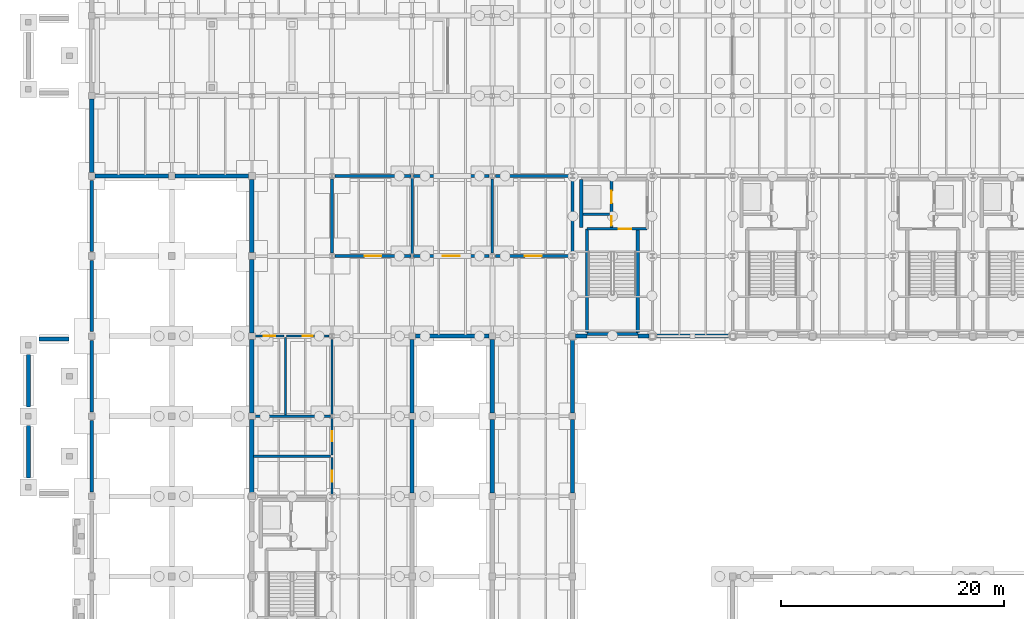
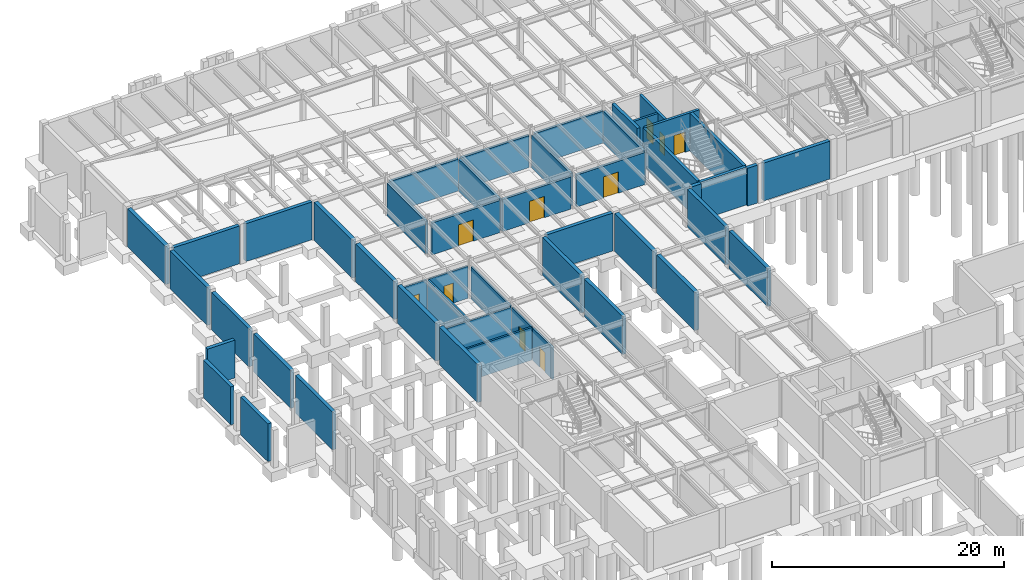
# One storey, part 34 of 46: 49 walls, 10 doors, 10 openings.
"""IFC4 building model written with IfcOpenShell, lengths in metres."""

from ifc_helpers import new_model, si_unit, direction, frame, frame_2d, origin, place, context, subcontext, project, spatial, rectangle, extrude, material, layer, layer_set, type_object, element, fill, save


model = new_model("IFC4")

# Units and contexts
model_context = context("Model", 3, precision=1e-05, world=origin(), true_north=direction((0.0, 1.0)))
body_context = subcontext(model_context, "Body", "Model", "MODEL_VIEW")
ifc_project = project(units=[si_unit("LENGTHUNIT", "METRE"), si_unit("AREAUNIT", "SQUARE_METRE"), si_unit("VOLUMEUNIT", "CUBIC_METRE"), si_unit("PLANEANGLEUNIT", "RADIAN"), si_unit("MASSUNIT", "GRAM", prefix="KILO")], contexts=[model_context])

# Site, building, storey
site_placement = place(None, origin())
site = spatial("IfcSite", under=ifc_project, at=site_placement, CompositionType="ELEMENT")
building_placement = place(site_placement, origin())
building = spatial("IfcBuilding", under=site, at=building_placement, Name="Sillqori Civic Hall", CompositionType="ELEMENT")
storey_placement = place(building_placement, frame((0.0, 0.0, -4.199951171875)))
storey = spatial("IfcBuildingStorey", under=building, at=storey_placement, Name="B01", CompositionType="ELEMENT", Elevation=-4.199951171875)

# Wall
ifc_material_1 = material(Name="Concrete C35/45 (H35)", Category="concrete")
ifc_layer_1 = layer(ifc_material_1, 0.219970703125)
ifc_layer_set_1 = layer_set([ifc_layer_1], Name="Concrete C35/45 (H35)")
wall_type_1 = type_object("IfcWallType", Name="CW-SHR-220", PredefinedType="SHEAR", material=ifc_layer_set_1)
wall_1_placement = place(storey_placement, frame((51.35009765625, 90.14990234375, 0.0), z_axis=(0.0, 0.0, 1.0), x_axis=(1.0, 0.0, 0.0)))
element("IfcWall", 1, at=wall_1_placement, inside=storey, type_object=wall_type_1, Name="B01 C5 Lift-riser divider wall", PredefinedType="SHEAR", context=body_context, shape_type="SweptSolid", body=[
    extrude(rectangle(XDim=2.39990234375, YDim=0.219970703125, at=frame_2d((1.199951171875, 0.0))), origin(), (0.0, 0.0, 1.0), 3.97998046875),
])

# Wall, opening, door
ifc_layer_2 = layer(ifc_material_1, 0.260009765625)
ifc_layer_set_2 = layer_set([ifc_layer_2], Name="Concrete C35/45 (H35)")
wall_type_2 = type_object("IfcWallType", Name="CW-SHR-260", PredefinedType="SHEAR", material=ifc_layer_set_2)
wall_2_placement = place(storey_placement, frame((51.7099609375, 88.85009765625, 0.0), z_axis=(0.0, 0.0, 1.0), x_axis=(1.0, 0.0, 0.0)))
wall_2 = element("IfcWall", 2, at=wall_2_placement, inside=storey, type_object=wall_type_2, Name="B01 C5 Stair-lobby fire wall", PredefinedType="SHEAR", context=body_context, shape_type="SweptSolid", body=[
    extrude(rectangle(XDim=5.41015625, YDim=0.260009765625, at=frame_2d((2.705078125, 0.0))), origin(), (0.0, 0.0, 1.0), 3.97998046875),
])
opening_1_placement = place(wall_2_placement, frame((2.840087890625, 0.0, 0.0)))
opening_1 = element("IfcOpeningElement", 3, at=opening_1_placement, cuts=wall_2, Name="Opening FD-01", PredefinedType="OPENING", context=body_context, shape_type="SweptSolid", body=[
    extrude(rectangle(XDim=1.14990234375, YDim=2.14990234375, at=frame_2d((0.574951171875, 1.074951171875))), frame((0.0, 0.139892578125, 0.0), z_axis=(0.0, -1.0, 0.0), x_axis=(1.0, 0.0, 0.0)), (0.0, 0.0, 1.0), 0.280029296875),
])
ifc_material_2 = material(Name="Galvanized Steel Fire Door FD90S", Category="steel")
door_type_1 = type_object("IfcDoorType", Name="FDR-STR-115X215", OperationType="NOTDEFINED", PredefinedType="DOOR", material=ifc_material_2)
door_1_placement = place(opening_1_placement, origin())
door_1 = element("IfcDoor", 4, at=door_1_placement, inside=storey, type_object=door_type_1, Name="B01 stair ST-05 fire door", OperationType="SINGLE_SWING_RIGHT", OverallHeight=2.14990234375, OverallWidth=1.14990234375, PredefinedType="DOOR", context=body_context, shape_type="SweptSolid", body=[
    extrude(rectangle(XDim=1.14990234375, YDim=2.14990234375, at=frame_2d((0.574951171875, 1.074951171875))), frame((0.0, 0.02490234375, 0.0), z_axis=(0.0, -1.0, 0.0), x_axis=(1.0, 0.0, 0.0)), (0.0, 0.0, 1.0), 0.050048828125),
])
fill(opening_1, door_1)

# Wall, openings, doors
wall_3_placement = place(storey_placement, frame((53.89990234375, 93.300048828125, 0.0), z_axis=(0.0, 0.0, 1.0), x_axis=(0.0, -1.0, 0.0)))
wall_3 = element("IfcWall", 5, at=wall_3_placement, inside=storey, type_object=wall_type_2, Name="B01 C5 Lift landing & riser front wall", PredefinedType="SHEAR", context=body_context, shape_type="SweptSolid", body=[
    extrude(rectangle(XDim=4.320068359375, YDim=0.260009765625, at=frame_2d((2.16015625, 0.0))), origin(), (0.0, 0.0, 1.0), 3.97998046875),
])
opening_2_placement = place(wall_3_placement, frame((1.050048828125, 0.0, 0.0)))
opening_2 = element("IfcOpeningElement", 6, at=opening_2_placement, cuts=wall_3, Name="Opening LD-01", PredefinedType="OPENING", context=body_context, shape_type="SweptSolid", body=[
    extrude(rectangle(XDim=1.10009765625, YDim=2.14990234375, at=frame_2d((0.550048828125, 1.074951171875))), frame((0.0, 0.139892578125, 0.0), z_axis=(0.0, -1.0, 0.0), x_axis=(1.0, 0.0, 0.0)), (0.0, 0.0, 1.0), 0.280029296875),
])
opening_3_placement = place(wall_3_placement, frame((3.324951171875, 0.0, 0.0)))
opening_3 = element("IfcOpeningElement", 7, at=opening_3_placement, cuts=wall_3, Name="Opening FD-05", PredefinedType="OPENING", context=body_context, shape_type="SweptSolid", body=[
    extrude(rectangle(XDim=0.85009765625, YDim=2.050048828125, at=frame_2d((0.425048828125, 1.02490234375))), frame((0.0, 0.139892578125, 0.0), z_axis=(0.0, -1.0, 0.0), x_axis=(1.0, 0.0, 0.0)), (0.0, 0.0, 1.0), 0.280029296875),
])
ifc_material_3 = material(Name="Steel Riser Access Fire Door", Category="steel")
door_type_2 = type_object("IfcDoorType", Name="FDR-RSR-085X205", OperationType="NOTDEFINED", PredefinedType="DOOR", material=ifc_material_3)
door_2_placement = place(opening_3_placement, origin())
door_2 = element("IfcDoor", 8, at=door_2_placement, inside=storey, type_object=door_type_2, Name="B01 MEP riser C5 fire access door", OperationType="SINGLE_SWING_LEFT", OverallHeight=2.050048828125, OverallWidth=0.85009765625, PredefinedType="DOOR", context=body_context, shape_type="SweptSolid", body=[
    extrude(rectangle(XDim=0.85009765625, YDim=2.050048828125, at=frame_2d((0.425048828125, 1.02490234375))), frame((0.0, 0.02490234375, 0.0), z_axis=(0.0, -1.0, 0.0), x_axis=(1.0, 0.0, 0.0)), (0.0, 0.0, 1.0), 0.050048828125),
])
fill(opening_3, door_2)
ifc_material_4 = material(Name="Stainless Steel Lift Landing Door", Category="steel")
door_type_3 = type_object("IfcDoorType", Name="LDR-PASS-110X215", OperationType="NOTDEFINED", PredefinedType="DOOR", material=ifc_material_4)
door_3_placement = place(opening_2_placement, origin())
door_3 = element("IfcDoor", 9, at=door_3_placement, inside=storey, type_object=door_type_3, Name="B01 lift LF-03 sliding landing door", OperationType="DOUBLE_DOOR_SLIDING", OverallHeight=2.14990234375, OverallWidth=1.10009765625, PredefinedType="DOOR", context=body_context, shape_type="SweptSolid", body=[
    extrude(rectangle(XDim=1.10009765625, YDim=2.14990234375, at=frame_2d((0.550048828125, 1.074951171875))), frame((0.0, 0.02490234375, 0.0), z_axis=(0.0, -1.0, 0.0), x_axis=(1.0, 0.0, 0.0)), (0.0, 0.0, 1.0), 0.050048828125),
])
fill(opening_2, door_3)

# Walls
ifc_layer_3 = layer(ifc_material_1, 0.300048828125)
ifc_layer_set_3 = layer_set([ifc_layer_3], Name="Concrete C35/45 (H35)")
wall_type_3 = type_object("IfcWallType", Name="CW-SHR-300", PredefinedType="SHEAR", material=ifc_layer_set_3)
wall_4_placement = place(storey_placement, frame((51.7099609375, 79.39990234375, 0.0), z_axis=(0.0, 0.0, 1.0), x_axis=(1.0, 0.0, 0.0)))
element("IfcWall", 10, at=wall_4_placement, inside=storey, type_object=wall_type_3, Name="B01 C5 Stair south shear wall", PredefinedType="SHEAR", context=body_context, shape_type="SweptSolid", body=[
    extrude(rectangle(XDim=4.580078125, YDim=0.300048828125, at=frame_2d((2.2900390625, 0.0))), origin(), (0.0, 0.0, 1.0), 3.97998046875),
])
for number, where, z_axis, x_axis, name in (
    (11, (51.7099609375, 79.550048828125, 0.0), (0.0, 0.0, 1.0), (0.0, 1.0, 0.0), "B01 C5 Stair west shear wall"),
    (12, (56.2900390625, 79.550048828125, 0.0), (0.0, 0.0, 1.0), (0.0, 1.0, 0.0), "B01 C5 Stair east shear wall"),
):
    element("IfcWall", number, at=place(storey_placement, frame(where, z_axis=z_axis, x_axis=x_axis)), inside=storey, type_object=wall_type_3, Name=name, PredefinedType="SHEAR", context=body_context, shape_type="SweptSolid", body=[
        extrude(rectangle(XDim=9.300048828125, YDim=0.300048828125, at=frame_2d((4.64990234375, 0.0))), origin(), (0.0, 0.0, 1.0), 3.97998046875),
    ])
wall_5_placement = place(storey_placement, frame((51.199951171875, 88.97998046875, 0.0), z_axis=(0.0, 0.0, 1.0), x_axis=(0.0, 1.0, 0.0)))
element("IfcWall", 13, at=wall_5_placement, inside=storey, type_object=wall_type_3, Name="B01 C5 Lift shaft west shear wall", PredefinedType="SHEAR", context=body_context, shape_type="SweptSolid", body=[
    extrude(rectangle(XDim=4.320068359375, YDim=0.300048828125, at=frame_2d((2.16015625, 0.0))), origin(), (0.0, 0.0, 1.0), 3.97998046875),
])

# Wall, opening, door
ifc_material_5 = material(Name="Concrete C25/30 (H25)", Category="concrete")
ifc_layer_4 = layer(ifc_material_5, 0.18994140625)
ifc_layer_set_4 = layer_set([ifc_layer_4], Name="Concrete C25/30 (H25)")
wall_type_4 = type_object("IfcWallType", Name="PT-MAS-190", PredefinedType="PARTITIONING", material=ifc_layer_set_4)
wall_6_placement = place(storey_placement, frame((28.800048828125, 68.280029296875, 0.0), z_axis=(0.0, 0.0, 1.0), x_axis=(0.0, -1.0, 0.0)))
wall_6 = element("IfcWall", 14, at=wall_6_placement, inside=storey, type_object=wall_type_4, Name="B01 Public Male WC partition E1", PredefinedType="PARTITIONING", context=body_context, shape_type="SweptSolid", body=[
    extrude(rectangle(XDim=3.360107421875, YDim=0.18994140625, at=frame_2d((1.68017578125, 0.0))), origin(), (0.0, 0.0, 1.0), 3.367919921875),
])
opening_4_placement = place(wall_6_placement, frame((1.199951171875, 0.0, 0.0)))
opening_4 = element("IfcOpeningElement", 15, at=opening_4_placement, cuts=wall_6, Name="Opening ID-20", PredefinedType="OPENING", context=body_context, shape_type="SweptSolid", body=[
    extrude(rectangle(XDim=0.9599609375, YDim=2.10009765625, at=frame_2d((0.47998046875, 1.050048828125))), frame((0.0, 0.10498046875, 0.0), z_axis=(0.0, -1.0, 0.0), x_axis=(1.0, 0.0, 0.0)), (0.0, 0.0, 1.0), 0.2099609375),
])
ifc_material_6 = material(Name="Moisture-Resistant Sanitary Door 960", Category="timber")
door_type_4 = type_object("IfcDoorType", Name="IDR-WC-096X210", OperationType="NOTDEFINED", PredefinedType="DOOR", material=ifc_material_6)
door_4_placement = place(opening_4_placement, origin())
door_4 = element("IfcDoor", 16, at=door_4_placement, inside=storey, type_object=door_type_4, Name="B01 Public Male WC entrance door", OperationType="SINGLE_SWING_RIGHT", OverallHeight=2.10009765625, OverallWidth=0.9599609375, PredefinedType="DOOR", context=body_context, shape_type="SweptSolid", body=[
    extrude(rectangle(XDim=0.9599609375, YDim=2.10009765625, at=frame_2d((0.47998046875, 1.050048828125))), frame((0.0, 0.02490234375, 0.0), z_axis=(0.0, -1.0, 0.0), x_axis=(1.0, 0.0, 0.0)), (0.0, 0.0, 1.0), 0.050048828125),
])
fill(opening_4, door_4)

# Wall
wall_7_placement = place(storey_placement, frame((21.719970703125, 68.39990234375, 0.0), z_axis=(0.0, 0.0, 1.0), x_axis=(1.0, 0.0, 0.0)))
element("IfcWall", 17, at=wall_7_placement, inside=storey, type_object=wall_type_4, Name="B01 Public Male WC partition N3", PredefinedType="PARTITIONING", context=body_context, shape_type="SweptSolid", body=[
    extrude(rectangle(XDim=6.9599609375, YDim=0.18994140625, at=frame_2d((3.47998046875, 0.0))), origin(), (0.0, 0.0, 1.0), 3.43701171875),
])

# Wall, opening, door
wall_8_placement = place(storey_placement, frame((28.800048828125, 71.8798828125, 0.0), z_axis=(0.0, 0.0, 1.0), x_axis=(0.0, -1.0, 0.0)))
wall_8 = element("IfcWall", 18, at=wall_8_placement, inside=storey, type_object=wall_type_4, Name="B01 Public Female WC partition E1", PredefinedType="PARTITIONING", context=body_context, shape_type="SweptSolid", body=[
    extrude(rectangle(XDim=3.35986328125, YDim=0.18994140625, at=frame_2d((1.679931640625, 0.0))), origin(), (0.0, 0.0, 1.0), 3.367919921875),
])
opening_5_placement = place(wall_8_placement, frame((1.219970703125, 0.0, 0.0)))
opening_5 = element("IfcOpeningElement", 19, at=opening_5_placement, cuts=wall_8, Name="Opening ID-19", PredefinedType="OPENING", context=body_context, shape_type="SweptSolid", body=[
    extrude(rectangle(XDim=0.919921875, YDim=2.10009765625, at=frame_2d((0.4599609375, 1.050048828125))), frame((0.0, 0.10498046875, 0.0), z_axis=(0.0, -1.0, 0.0), x_axis=(1.0, 0.0, 0.0)), (0.0, 0.0, 1.0), 0.2099609375),
])
ifc_material_7 = material(Name="Moisture-Resistant Sanitary Door 920", Category="timber")
door_type_5 = type_object("IfcDoorType", Name="IDR-WC-092X210", OperationType="NOTDEFINED", PredefinedType="DOOR", material=ifc_material_7)
door_5_placement = place(opening_5_placement, origin())
door_5 = element("IfcDoor", 20, at=door_5_placement, inside=storey, type_object=door_type_5, Name="B01 Public Female WC entrance door", OperationType="SINGLE_SWING_LEFT", OverallHeight=2.10009765625, OverallWidth=0.919921875, PredefinedType="DOOR", context=body_context, shape_type="SweptSolid", body=[
    extrude(rectangle(XDim=0.919921875, YDim=2.10009765625, at=frame_2d((0.4599609375, 1.050048828125))), frame((0.0, 0.02490234375, 0.0), z_axis=(0.0, -1.0, 0.0), x_axis=(1.0, 0.0, 0.0)), (0.0, 0.0, 1.0), 0.050048828125),
])
fill(opening_5, door_5)

# Wall
wall_9_placement = place(storey_placement, frame((21.719970703125, 72.0, 0.0), z_axis=(0.0, 0.0, 1.0), x_axis=(1.0, 0.0, 0.0)))
element("IfcWall", 21, at=wall_9_placement, inside=storey, type_object=wall_type_4, Name="B01 Public Female WC partition N3", PredefinedType="PARTITIONING", context=body_context, shape_type="SweptSolid", body=[
    extrude(rectangle(XDim=6.9599609375, YDim=0.18994140625, at=frame_2d((3.47998046875, 0.0))), origin(), (0.0, 0.0, 1.0), 3.367919921875),
])

# Wall, opening, door
wall_10_placement = place(storey_placement, frame((21.8798828125, 79.199951171875, 0.0), z_axis=(0.0, 0.0, 1.0), x_axis=(1.0, 0.0, 0.0)))
wall_10 = element("IfcWall", 22, at=wall_10_placement, inside=storey, type_object=wall_type_4, Name="B01 Accessible WC partition N1", PredefinedType="PARTITIONING", context=body_context, shape_type="SweptSolid", body=[
    extrude(rectangle(XDim=2.60009765625, YDim=0.18994140625, at=frame_2d((1.300048828125, 0.0))), origin(), (0.0, 0.0, 1.0), 3.367919921875),
])
opening_6_placement = place(wall_10_placement, frame((0.7900390625, 0.0, 0.0)))
opening_6 = element("IfcOpeningElement", 23, at=opening_6_placement, cuts=wall_10, Name="Opening ID-21", PredefinedType="OPENING", context=body_context, shape_type="SweptSolid", body=[
    extrude(rectangle(XDim=1.02001953125, YDim=2.14990234375, at=frame_2d((0.510009765625, 1.074951171875))), frame((0.0, 0.10498046875, 0.0), z_axis=(0.0, -1.0, 0.0), x_axis=(1.0, 0.0, 0.0)), (0.0, 0.0, 1.0), 0.2099609375),
])
ifc_material_8 = material(Name="Accessible WC Outward-Clear Door", Category="timber")
door_type_6 = type_object("IfcDoorType", Name="IDR-AWC-102X215", OperationType="NOTDEFINED", PredefinedType="DOOR", material=ifc_material_8)
door_6_placement = place(opening_6_placement, origin())
door_6 = element("IfcDoor", 24, at=door_6_placement, inside=storey, type_object=door_type_6, Name="B01 Accessible WC entrance door", OperationType="SINGLE_SWING_RIGHT", OverallHeight=2.14990234375, OverallWidth=1.02001953125, PredefinedType="DOOR", context=body_context, shape_type="SweptSolid", body=[
    extrude(rectangle(XDim=1.02001953125, YDim=2.14990234375, at=frame_2d((0.510009765625, 1.074951171875))), frame((0.0, 0.02490234375, 0.0), z_axis=(0.0, -1.0, 0.0), x_axis=(1.0, 0.0, 0.0)), (0.0, 0.0, 1.0), 0.050048828125),
])
fill(opening_6, door_6)

# Wall
wall_11_placement = place(storey_placement, frame((24.60009765625, 79.080078125, 0.0), z_axis=(0.0, 0.0, 1.0), x_axis=(0.0, -1.0, 0.0)))
element("IfcWall", 25, at=wall_11_placement, inside=storey, type_object=wall_type_4, Name="B01 Accessible WC partition E3", PredefinedType="PARTITIONING", context=body_context, shape_type="SweptSolid", body=[
    extrude(rectangle(XDim=6.9599609375, YDim=0.18994140625, at=frame_2d((3.47998046875, 0.0))), origin(), (0.0, 0.0, 1.0), 3.367919921875),
])

# Wall, opening, door
wall_12_placement = place(storey_placement, frame((24.719970703125, 79.199951171875, 0.0), z_axis=(0.0, 0.0, 1.0), x_axis=(1.0, 0.0, 0.0)))
wall_12 = element("IfcWall", 26, at=wall_12_placement, inside=storey, type_object=wall_type_4, Name="B01 Staff Sanitary and Cleaners Room partition N1", PredefinedType="PARTITIONING", context=body_context, shape_type="SweptSolid", body=[
    extrude(rectangle(XDim=3.800048828125, YDim=0.18994140625, at=frame_2d((1.89990234375, 0.0))), origin(), (0.0, 0.0, 1.0), 3.367919921875),
])
opening_7_placement = place(wall_12_placement, frame((1.43994140625, 0.0, 0.0)))
opening_7 = element("IfcOpeningElement", 27, at=opening_7_placement, cuts=wall_12, Name="Opening ID-19", PredefinedType="OPENING", context=body_context, shape_type="SweptSolid", body=[
    extrude(rectangle(XDim=0.919921875, YDim=2.10009765625, at=frame_2d((0.4599609375, 1.050048828125))), frame((0.0, 0.10498046875, 0.0), z_axis=(0.0, -1.0, 0.0), x_axis=(1.0, 0.0, 0.0)), (0.0, 0.0, 1.0), 0.2099609375),
])
door_7_placement = place(opening_7_placement, origin())
door_7 = element("IfcDoor", 28, at=door_7_placement, inside=storey, type_object=door_type_5, Name="B01 Staff Sanitary and Cleaners Room entrance door", OperationType="SINGLE_SWING_LEFT", OverallHeight=2.10009765625, OverallWidth=0.919921875, PredefinedType="DOOR", context=body_context, shape_type="SweptSolid", body=[
    extrude(rectangle(XDim=0.919921875, YDim=2.10009765625, at=frame_2d((0.4599609375, 1.050048828125))), frame((0.0, 0.02490234375, 0.0), z_axis=(0.0, -1.0, 0.0), x_axis=(1.0, 0.0, 0.0)), (0.0, 0.0, 1.0), 0.050048828125),
])
fill(opening_7, door_7)

# Wall
wall_13_placement = place(storey_placement, frame((28.800048828125, 78.919921875, 0.0), z_axis=(0.0, 0.0, 1.0), x_axis=(0.0, -1.0, 0.0)))
element("IfcWall", 29, at=wall_13_placement, inside=storey, type_object=wall_type_4, Name="B01 Staff Sanitary and Cleaners Room partition E4", PredefinedType="PARTITIONING", context=body_context, shape_type="SweptSolid", body=[
    extrude(rectangle(XDim=6.7998046875, YDim=0.18994140625, at=frame_2d((3.39990234375, 0.0))), origin(), (0.0, 0.0, 1.0), 3.367919921875),
])

# Wall, opening, door
ifc_layer_5 = layer(ifc_material_5, 0.25)
ifc_layer_set_5 = layer_set([ifc_layer_5], Name="Concrete C25/30 (H25)")
wall_type_5 = type_object("IfcWallType", Name="PT-PLT-250", PredefinedType="PARTITIONING", material=ifc_layer_set_5)
wall_14_placement = place(storey_placement, frame((35.8798828125, 86.39990234375, 0.0), z_axis=(0.0, 0.0, 1.0), x_axis=(-1.0, 0.0, 0.0)))
wall_14 = element("IfcWall", 30, at=wall_14_placement, inside=storey, type_object=wall_type_5, Name="Emergency Standby Generator Hall partition S1", PredefinedType="PARTITIONING", context=body_context, shape_type="SweptSolid", body=[
    extrude(rectangle(XDim=6.7998046875, YDim=0.25, at=frame_2d((3.39990234375, 0.0))), origin(), (0.0, 0.0, 1.0), 3.367919921875),
])
opening_8_placement = place(wall_14_placement, frame((2.64990234375, 0.0, 0.0)))
opening_8 = element("IfcOpeningElement", 31, at=opening_8_placement, cuts=wall_14, Name="Opening FD-07", PredefinedType="OPENING", context=body_context, shape_type="SweptSolid", body=[
    extrude(rectangle(XDim=1.5, YDim=2.25, at=frame_2d((0.75, 1.125))), frame((0.0, 0.135009765625, 0.0), z_axis=(0.0, -1.0, 0.0), x_axis=(1.0, 0.0, 0.0)), (0.0, 0.0, 1.0), 0.27001953125),
])
ifc_material_9 = material(Name="Double-Leaf Plant Room Fire Door", Category="steel")
door_type_7 = type_object("IfcDoorType", Name="FDR-PLT-150X225", OperationType="NOTDEFINED", PredefinedType="DOOR", material=ifc_material_9)
door_8_placement = place(opening_8_placement, origin())
door_8 = element("IfcDoor", 32, at=door_8_placement, inside=storey, type_object=door_type_7, Name="Emergency Standby Generator Hall entrance door", OperationType="DOUBLE_DOOR_SINGLE_SWING", OverallHeight=2.25, OverallWidth=1.5, PredefinedType="DOOR", context=body_context, shape_type="SweptSolid", body=[
    extrude(rectangle(XDim=1.5, YDim=2.25, at=frame_2d((0.75, 1.125))), frame((0.0, 0.02490234375, 0.0), z_axis=(0.0, -1.0, 0.0), x_axis=(1.0, 0.0, 0.0)), (0.0, 0.0, 1.0), 0.050048828125),
])
fill(opening_8, door_8)

# Walls
wall_15_placement = place(storey_placement, frame((29.080078125, 93.60009765625, 0.0), z_axis=(0.0, 0.0, 1.0), x_axis=(1.0, 0.0, 0.0)))
element("IfcWall", 33, at=wall_15_placement, inside=storey, type_object=wall_type_5, Name="Emergency Standby Generator Hall partition N2", PredefinedType="PARTITIONING", context=body_context, shape_type="SweptSolid", body=[
    extrude(rectangle(XDim=6.7998046875, YDim=0.25, at=frame_2d((3.39990234375, 0.0))), origin(), (0.0, 0.0, 1.0), 3.367919921875),
])
wall_16_placement = place(storey_placement, frame((28.800048828125, 86.679931640625, 0.0), z_axis=(0.0, 0.0, 1.0), x_axis=(0.0, 1.0, 0.0)))
element("IfcWall", 34, at=wall_16_placement, inside=storey, type_object=wall_type_5, Name="Emergency Standby Generator Hall partition W3", PredefinedType="PARTITIONING", context=body_context, shape_type="SweptSolid", body=[
    extrude(rectangle(XDim=6.64013671875, YDim=0.25, at=frame_2d((3.320068359375, 0.0))), origin(), (0.0, 0.0, 1.0), 3.43701171875),
])
wall_17_placement = place(storey_placement, frame((36.0, 93.47998046875, 0.0), z_axis=(0.0, 0.0, 1.0), x_axis=(0.0, -1.0, 0.0)))
element("IfcWall", 35, at=wall_17_placement, inside=storey, type_object=wall_type_5, Name="Emergency Standby Generator Hall partition E4", PredefinedType="PARTITIONING", context=body_context, shape_type="SweptSolid", body=[
    extrude(rectangle(XDim=6.9599609375, YDim=0.25, at=frame_2d((3.47998046875, 0.0))), origin(), (0.0, 0.0, 1.0), 3.367919921875),
])

# Wall, opening, door
wall_18_placement = place(storey_placement, frame((42.919921875, 86.39990234375, 0.0), z_axis=(0.0, 0.0, 1.0), x_axis=(-1.0, 0.0, 0.0)))
wall_18 = element("IfcWall", 36, at=wall_18_placement, inside=storey, type_object=wall_type_5, Name="Domestic Cold Water Cistern and Booster Room partition S1", PredefinedType="PARTITIONING", context=body_context, shape_type="SweptSolid", body=[
    extrude(rectangle(XDim=6.7998046875, YDim=0.25, at=frame_2d((3.39990234375, 0.0))), origin(), (0.0, 0.0, 1.0), 3.367919921875),
])
opening_9_placement = place(wall_18_placement, frame((2.64990234375, 0.0, 0.0)))
opening_9 = element("IfcOpeningElement", 37, at=opening_9_placement, cuts=wall_18, Name="Opening FD-07", PredefinedType="OPENING", context=body_context, shape_type="SweptSolid", body=[
    extrude(rectangle(XDim=1.5, YDim=2.25, at=frame_2d((0.75, 1.125))), frame((0.0, 0.135009765625, 0.0), z_axis=(0.0, -1.0, 0.0), x_axis=(1.0, 0.0, 0.0)), (0.0, 0.0, 1.0), 0.27001953125),
])
door_9_placement = place(opening_9_placement, origin())
door_9 = element("IfcDoor", 38, at=door_9_placement, inside=storey, type_object=door_type_7, Name="Domestic Cold Water Cistern and Booster Room entrance door", OperationType="DOUBLE_DOOR_SINGLE_SWING", OverallHeight=2.25, OverallWidth=1.5, PredefinedType="DOOR", context=body_context, shape_type="SweptSolid", body=[
    extrude(rectangle(XDim=1.5, YDim=2.25, at=frame_2d((0.75, 1.125))), frame((0.0, 0.02490234375, 0.0), z_axis=(0.0, -1.0, 0.0), x_axis=(1.0, 0.0, 0.0)), (0.0, 0.0, 1.0), 0.050048828125),
])
fill(opening_9, door_9)

# Walls
wall_19_placement = place(storey_placement, frame((36.1201171875, 93.60009765625, 0.0), z_axis=(0.0, 0.0, 1.0), x_axis=(1.0, 0.0, 0.0)))
element("IfcWall", 39, at=wall_19_placement, inside=storey, type_object=wall_type_5, Name="Domestic Cold Water Cistern and Booster Room partition N2", PredefinedType="PARTITIONING", context=body_context, shape_type="SweptSolid", body=[
    extrude(rectangle(XDim=6.7998046875, YDim=0.25, at=frame_2d((3.39990234375, 0.0))), origin(), (0.0, 0.0, 1.0), 3.367919921875),
])
wall_20_placement = place(storey_placement, frame((43.199951171875, 93.320068359375, 0.0), z_axis=(0.0, 0.0, 1.0), x_axis=(0.0, -1.0, 0.0)))
element("IfcWall", 40, at=wall_20_placement, inside=storey, type_object=wall_type_5, Name="Domestic Cold Water Cistern and Booster Room partition E4", PredefinedType="PARTITIONING", context=body_context, shape_type="SweptSolid", body=[
    extrude(rectangle(XDim=6.64013671875, YDim=0.25, at=frame_2d((3.320068359375, 0.0))), origin(), (0.0, 0.0, 1.0), 3.43701171875),
])

# Wall, opening, door
wall_21_placement = place(storey_placement, frame((50.280029296875, 86.39990234375, 0.0), z_axis=(0.0, 0.0, 1.0), x_axis=(-1.0, 0.0, 0.0)))
wall_21 = element("IfcWall", 41, at=wall_21_placement, inside=storey, type_object=wall_type_5, Name="Fire Protection Pump and Sprinkler Valve Room partition S1", PredefinedType="PARTITIONING", context=body_context, shape_type="SweptSolid", body=[
    extrude(rectangle(XDim=6.800048828125, YDim=0.25, at=frame_2d((3.39990234375, 0.0))), origin(), (0.0, 0.0, 1.0), 3.367919921875),
])
opening_10_placement = place(wall_21_placement, frame((2.64990234375, 0.0, 0.0)))
opening_10 = element("IfcOpeningElement", 42, at=opening_10_placement, cuts=wall_21, Name="Opening FD-07", PredefinedType="OPENING", context=body_context, shape_type="SweptSolid", body=[
    extrude(rectangle(XDim=1.5, YDim=2.25, at=frame_2d((0.75, 1.125))), frame((0.0, 0.135009765625, 0.0), z_axis=(0.0, -1.0, 0.0), x_axis=(1.0, 0.0, 0.0)), (0.0, 0.0, 1.0), 0.27001953125),
])
door_10_placement = place(opening_10_placement, origin())
door_10 = element("IfcDoor", 43, at=door_10_placement, inside=storey, type_object=door_type_7, Name="Fire Protection Pump and Sprinkler Valve Room entrance door", OperationType="DOUBLE_DOOR_SINGLE_SWING", OverallHeight=2.25, OverallWidth=1.5, PredefinedType="DOOR", context=body_context, shape_type="SweptSolid", body=[
    extrude(rectangle(XDim=1.5, YDim=2.25, at=frame_2d((0.75, 1.125))), frame((0.0, 0.02490234375, 0.0), z_axis=(0.0, -1.0, 0.0), x_axis=(1.0, 0.0, 0.0)), (0.0, 0.0, 1.0), 0.050048828125),
])
fill(opening_10, door_10)

# Walls
wall_22_placement = place(storey_placement, frame((43.47998046875, 93.60009765625, 0.0), z_axis=(0.0, 0.0, 1.0), x_axis=(1.0, 0.0, 0.0)))
element("IfcWall", 44, at=wall_22_placement, inside=storey, type_object=wall_type_5, Name="Fire Protection Pump and Sprinkler Valve Room partition N2", PredefinedType="PARTITIONING", context=body_context, shape_type="SweptSolid", body=[
    extrude(rectangle(XDim=6.800048828125, YDim=0.25, at=frame_2d((3.39990234375, 0.0))), origin(), (0.0, 0.0, 1.0), 3.367919921875),
])
wall_23_placement = place(storey_placement, frame((50.39990234375, 93.47998046875, 0.0), z_axis=(0.0, 0.0, 1.0), x_axis=(0.0, -1.0, 0.0)))
element("IfcWall", 45, at=wall_23_placement, inside=storey, type_object=wall_type_5, Name="Fire Protection Pump and Sprinkler Valve Room partition E4", PredefinedType="PARTITIONING", context=body_context, shape_type="SweptSolid", body=[
    extrude(rectangle(XDim=6.9599609375, YDim=0.25, at=frame_2d((3.47998046875, 0.0))), origin(), (0.0, 0.0, 1.0), 3.367919921875),
])
ifc_layer_6 = layer(ifc_material_1, 0.35009765625)
ifc_layer_set_6 = layer_set([ifc_layer_6], Name="Concrete C35/45 (H35)")
wall_type_6 = type_object("IfcWallType", Name="RW-H35-350", PredefinedType="USERDEFINED", material=ifc_layer_set_6)
for number, where, z_axis, x_axis, name in (
    (46, (7.5, 93.60009765625, 0.0), (0.0, 0.0, 1.0), (1.0, 0.0, 0.0), "Basement retaining wall S 1-13"),
    (47, (14.699951171875, 93.60009765625, 0.0), (0.0, 0.0, 1.0), (1.0, 0.0, 0.0), "Basement retaining wall S 2-13"),
):
    element("IfcWall", number, at=place(storey_placement, frame(where, z_axis=z_axis, x_axis=x_axis)), inside=storey, type_object=wall_type_6, Name=name, ObjectType="RETAININGWALL", PredefinedType="USERDEFINED", context=body_context, shape_type="SweptSolid", body=[
        extrude(rectangle(XDim=6.60009765625, YDim=0.35009765625, at=frame_2d((3.300048828125, 0.0))), origin(), (0.0, 0.0, 1.0), 3.97998046875),
    ])
for number, where, z_axis, x_axis, name in (
    (48, (36.0, 65.10009765625, 0.0), (0.0, 0.0, 1.0), (0.0, 1.0, 0.0), "Basement retaining wall E 4-9"),
    (49, (36.0, 72.300048828125, 0.0), (0.0, 0.0, 1.0), (0.0, 1.0, 0.0), "Basement retaining wall E 4-10"),
    (50, (36.300048828125, 79.199951171875, 0.0), (0.0, 0.0, 1.0), (1.0, 0.0, 0.0), "Basement retaining wall S 5-11"),
    (51, (50.39990234375, 65.10009765625, 0.0), (0.0, 0.0, 1.0), (0.0, 1.0, 0.0), "Basement retaining wall E 6-9"),
    (52, (50.39990234375, 72.300048828125, 0.0), (0.0, 0.0, 1.0), (0.0, 1.0, 0.0), "Basement retaining wall E 6-10"),
):
    element("IfcWall", number, at=place(storey_placement, frame(where, z_axis=z_axis, x_axis=x_axis)), inside=storey, type_object=wall_type_6, Name=name, ObjectType="RETAININGWALL", PredefinedType="USERDEFINED", context=body_context, shape_type="SweptSolid", body=[
        extrude(rectangle(XDim=6.599853515625, YDim=0.35009765625, at=frame_2d((3.2998046875, 0.0))), origin(), (0.0, 0.0, 1.0), 3.97998046875),
    ])
for number, where, z_axis, x_axis, name in (
    (53, (50.699951171875, 79.199951171875, 0.0), (0.0, 0.0, 1.0), (1.0, 0.0, 0.0), "Basement retaining wall S 7-11 part 1"),
    (54, (56.2900390625, 79.199951171875, 0.0), (0.0, 0.0, 1.0), (1.0, 0.0, 0.0), "Basement retaining wall S 7-11 part 2"),
):
    element("IfcWall", number, at=place(storey_placement, frame(where, z_axis=z_axis, x_axis=x_axis)), inside=storey, type_object=wall_type_6, Name=name, ObjectType="RETAININGWALL", PredefinedType="USERDEFINED", context=body_context, shape_type="SweptSolid", body=[
        extrude(rectangle(XDim=1.010009765625, YDim=0.35009765625, at=frame_2d((0.5048828125, 0.0))), origin(), (0.0, 0.0, 1.0), 3.97998046875),
    ])
wall_24_placement = place(storey_placement, frame((57.89990234375, 79.199951171875, 0.0), z_axis=(0.0, 0.0, 1.0), x_axis=(1.0, 0.0, 0.0)))
element("IfcWall", 55, at=wall_24_placement, inside=storey, type_object=wall_type_6, Name="Basement retaining wall S 8-11", ObjectType="RETAININGWALL", PredefinedType="USERDEFINED", context=body_context, shape_type="SweptSolid", body=[
    extrude(rectangle(XDim=6.60009765625, YDim=0.35009765625, at=frame_2d((3.300048828125, 0.0))), origin(), (0.0, 0.0, 1.0), 3.97998046875),
])
for number, where, z_axis, x_axis, name in (
    (56, (7.199951171875, 65.199951171875, 0.0), (0.0, 0.0, 1.0), (0.0, 1.0, 0.0), "Podium plinth retaining wall W 1-9"),
    (57, (7.199951171875, 72.39990234375, 0.0), (0.0, 0.0, 1.0), (0.0, 1.0, 0.0), "Podium plinth retaining wall W 1-10"),
):
    element("IfcWall", number, at=place(storey_placement, frame(where, z_axis=z_axis, x_axis=x_axis)), inside=storey, type_object=wall_type_6, Name=name, ObjectType="RETAININGWALL", PredefinedType="USERDEFINED", context=body_context, shape_type="SweptSolid", body=[
        extrude(rectangle(XDim=6.400146484375, YDim=0.35009765625, at=frame_2d((3.2001953125, 0.0))), origin(), (0.0, 0.0, 1.0), 3.97998046875),
    ])
for number, where, z_axis, x_axis, name in (
    (58, (7.199951171875, 79.60009765625, 0.0), (0.0, 0.0, 1.0), (0.0, 1.0, 0.0), "Podium plinth retaining wall W 1-11"),
    (59, (7.199951171875, 86.800048828125, 0.0), (0.0, 0.0, 1.0), (0.0, 1.0, 0.0), "Podium plinth retaining wall W 1-12"),
):
    element("IfcWall", number, at=place(storey_placement, frame(where, z_axis=z_axis, x_axis=x_axis)), inside=storey, type_object=wall_type_6, Name=name, ObjectType="RETAININGWALL", PredefinedType="USERDEFINED", context=body_context, shape_type="SweptSolid", body=[
        extrude(rectangle(XDim=6.39990234375, YDim=0.35009765625, at=frame_2d((3.199951171875, 0.0))), origin(), (0.0, 0.0, 1.0), 3.97998046875),
    ])
for number, where, z_axis, x_axis, name in (
    (60, (1.5, 66.449951171875, 0.0), (0.0, 0.0, 1.0), (0.0, 1.0, 0.0), "Truck loading dock grade apron plinth retaining wall W1"),
    (61, (1.5, 72.85009765625, 0.0), (0.0, 0.0, 1.0), (0.0, 1.0, 0.0), "Truck loading dock grade apron plinth retaining wall W2"),
):
    element("IfcWall", number, at=place(storey_placement, frame(where, z_axis=z_axis, x_axis=x_axis)), inside=storey, type_object=wall_type_6, Name=name, ObjectType="RETAININGWALL", PredefinedType="USERDEFINED", context=body_context, shape_type="SweptSolid", body=[
        extrude(rectangle(XDim=4.699951171875, YDim=0.35009765625, at=frame_2d((2.35009765625, 0.0))), origin(), (0.0, 0.0, 1.0), 3.97998046875),
    ])
wall_25_placement = place(storey_placement, frame((2.449951171875, 78.949951171875, 0.0), z_axis=(0.0, 0.0, 1.0), x_axis=(1.0, 0.0, 0.0)))
element("IfcWall", 62, at=wall_25_placement, inside=storey, type_object=wall_type_6, Name="Truck loading dock grade apron plinth retaining wall N", ObjectType="RETAININGWALL", PredefinedType="USERDEFINED", context=body_context, shape_type="SweptSolid", body=[
    extrude(rectangle(XDim=2.699951171875, YDim=0.35009765625, at=frame_2d((1.35009765625, 0.0))), origin(), (0.0, 0.0, 1.0), 3.97998046875),
])
ifc_layer_7 = layer(ifc_material_1, 0.39990234375)
ifc_layer_set_7 = layer_set([ifc_layer_7], Name="Concrete C35/45 (H35)")
wall_type_7 = type_object("IfcWallType", Name="RW-H35-400", PredefinedType="USERDEFINED", material=ifc_layer_set_7)
wall_26_placement = place(storey_placement, frame((7.199951171875, 93.89990234375, 0.0), z_axis=(0.0, 0.0, 1.0), x_axis=(0.0, 1.0, 0.0)))
element("IfcWall", 63, at=wall_26_placement, inside=storey, type_object=wall_type_7, Name="Basement retaining wall W 1-13", ObjectType="RETAININGWALL", PredefinedType="USERDEFINED", context=body_context, shape_type="SweptSolid", body=[
    extrude(rectangle(XDim=6.60009765625, YDim=0.39990234375, at=frame_2d((3.300048828125, 0.0))), origin(), (0.0, 0.0, 1.0), 3.97998046875),
])
for number, where, z_axis, x_axis, name in (
    (64, (21.60009765625, 65.10009765625, 0.0), (0.0, 0.0, 1.0), (0.0, 1.0, 0.0), "Basement retaining wall W 3-9"),
    (65, (21.60009765625, 72.300048828125, 0.0), (0.0, 0.0, 1.0), (0.0, 1.0, 0.0), "Basement retaining wall W 3-10"),
):
    element("IfcWall", number, at=place(storey_placement, frame(where, z_axis=z_axis, x_axis=x_axis)), inside=storey, type_object=wall_type_7, Name=name, ObjectType="RETAININGWALL", PredefinedType="USERDEFINED", context=body_context, shape_type="SweptSolid", body=[
        extrude(rectangle(XDim=6.599853515625, YDim=0.39990234375, at=frame_2d((3.2998046875, 0.0))), origin(), (0.0, 0.0, 1.0), 3.97998046875),
    ])
for number, where, z_axis, x_axis, name in (
    (66, (21.60009765625, 79.5, 0.0), (0.0, 0.0, 1.0), (0.0, 1.0, 0.0), "Basement retaining wall W 3-11"),
    (67, (21.60009765625, 86.699951171875, 0.0), (0.0, 0.0, 1.0), (0.0, 1.0, 0.0), "Basement retaining wall W 3-12"),
):
    element("IfcWall", number, at=place(storey_placement, frame(where, z_axis=z_axis, x_axis=x_axis)), inside=storey, type_object=wall_type_7, Name=name, ObjectType="RETAININGWALL", PredefinedType="USERDEFINED", context=body_context, shape_type="SweptSolid", body=[
        extrude(rectangle(XDim=6.60009765625, YDim=0.39990234375, at=frame_2d((3.300048828125, 0.0))), origin(), (0.0, 0.0, 1.0), 3.97998046875),
    ])
for number, where, z_axis, x_axis, name in (
    (68, (43.199951171875, 65.10009765625, 0.0), (0.0, 0.0, 1.0), (0.0, 1.0, 0.0), "Basement retaining wall W 6-9"),
    (69, (43.199951171875, 72.300048828125, 0.0), (0.0, 0.0, 1.0), (0.0, 1.0, 0.0), "Basement retaining wall W 6-10"),
):
    element("IfcWall", number, at=place(storey_placement, frame(where, z_axis=z_axis, x_axis=x_axis)), inside=storey, type_object=wall_type_7, Name=name, ObjectType="RETAININGWALL", PredefinedType="USERDEFINED", context=body_context, shape_type="SweptSolid", body=[
        extrude(rectangle(XDim=6.599853515625, YDim=0.39990234375, at=frame_2d((3.2998046875, 0.0))), origin(), (0.0, 0.0, 1.0), 3.97998046875),
    ])

save(model, "model.ifc")
